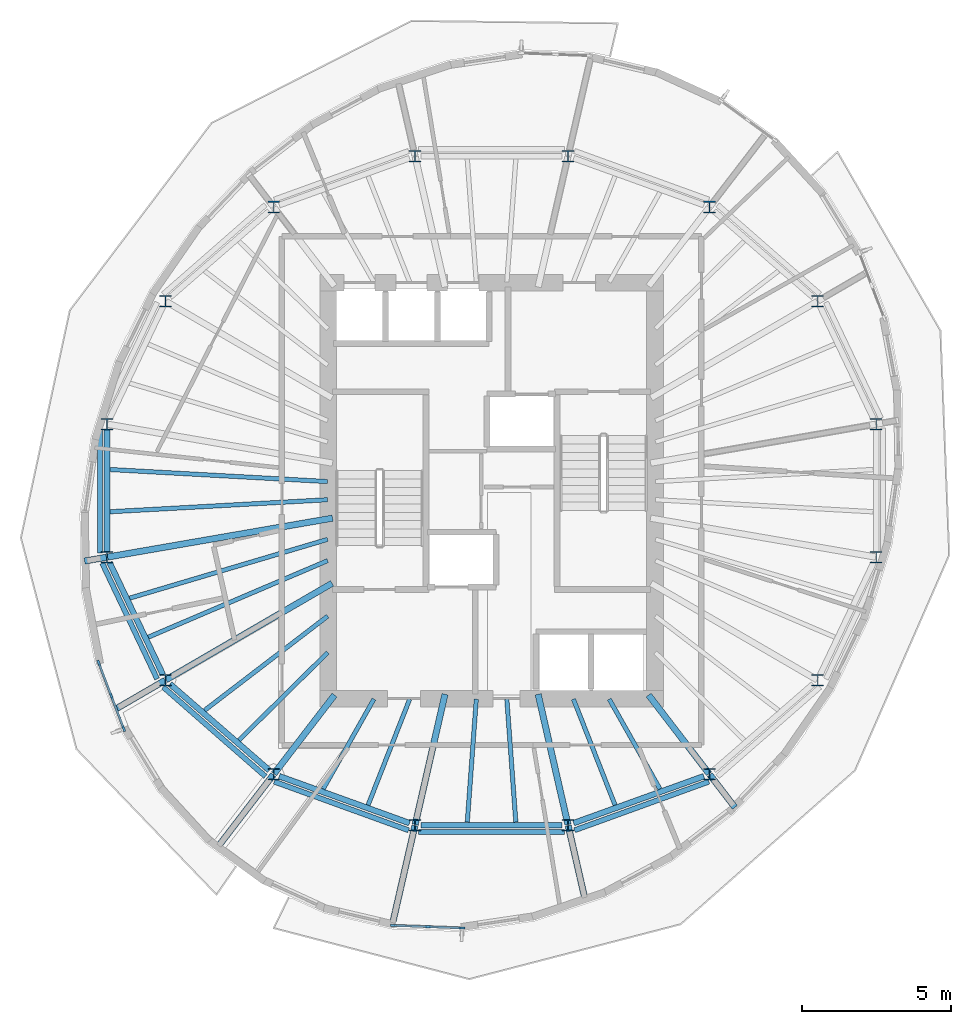
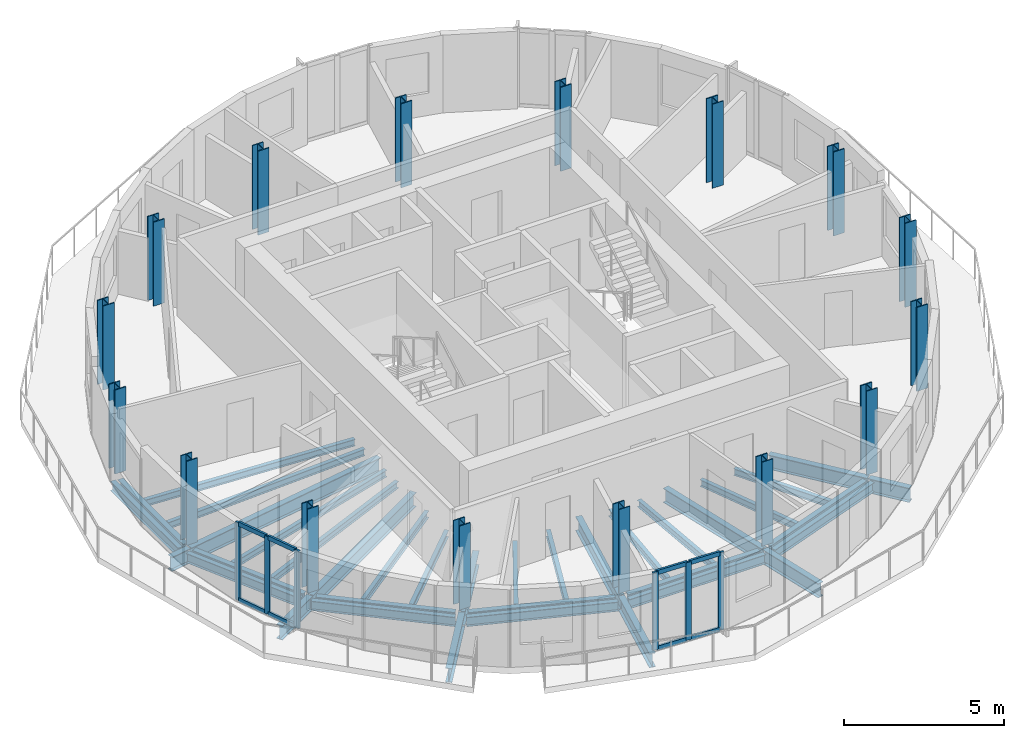
# One storey, part 1 of 11: 36 beams, 16 columns, 14 members, 2 elements without a shape of their own.
"""IFC4 building model written with IfcOpenShell, lengths in metres."""

import ifcopenshell
import ifcopenshell.guid

model = None  # the IFC model being written
_history = None  # IfcOwnerHistory: only IFC2X3 demands one
_inside = {}  # id of a spatial element -> (the spatial element, [elements in it])
_under = {}  # id of a project, library or spatial element -> (it, [spatial elements below it])
_declared = {}  # id of a project -> (the project, [libraries it declares])
_typed = {}  # id of a type object -> (the type object, [elements of that type])
_made_of = {}  # id of a material, layer set ... -> (it, [elements and type objects made of it])


def new_model(schema):
    """Start an empty IFC model of exactly this schema.

    Asked for "IFC4X3", IfcOpenShell would pick the latest addendum, in which some entities
    have other attributes; the version numbers below select the first issue.
    IFC2X3 requires an IfcOwnerHistory on every rooted entity: one is made here for all.
    """
    global model, _history
    if schema == "IFC4X3":
        model = ifcopenshell.file(schema_version=(4, 3, 0, 0))
    else:
        model = ifcopenshell.file(schema=schema)
    _inside.clear()
    _under.clear()
    _declared.clear()
    _typed.clear()
    _made_of.clear()
    _history = None
    if model.schema == "IFC2X3":
        org = make("IfcOrganization", Name="unknown")
        user = make(
            "IfcPersonAndOrganization",
            ThePerson=make("IfcPerson", FamilyName="unknown"),
            TheOrganization=org,
        )
        app = make(
            "IfcApplication",
            ApplicationDeveloper=org,
            Version="unknown",
            ApplicationFullName="unknown",
            ApplicationIdentifier="unknown",
        )
        _history = make(
            "IfcOwnerHistory",
            OwningUser=user,
            OwningApplication=app,
            ChangeAction="ADDED",
            CreationDate=0,
        )
    return model


def make(cls, **values):
    """One entity of the class cls with the attributes given. An attribute that is None is left unset."""
    return model.create_entity(
        cls, **{name: value for name, value in values.items() if value is not None}
    )


def rooted(cls, **values):
    """An entity with a GlobalId (a new one), such as an element, a storey or a relation."""
    return make(cls, GlobalId=ifcopenshell.guid.new(), OwnerHistory=_history, **values)


def si_unit(unit_type, name, prefix=None):
    """IfcSIUnit, for example si_unit("LENGTHUNIT", "METRE", prefix="MILLI")."""
    return make("IfcSIUnit", UnitType=unit_type, Prefix=prefix, Name=name)


def assignment(units):
    """IfcUnitAssignment: the units of a project."""
    return None if units is None else make("IfcUnitAssignment", Units=units)


def point(xyz):
    """IfcCartesianPoint."""
    return None if xyz is None else make("IfcCartesianPoint", Coordinates=xyz)


def direction(xyz):
    """IfcDirection."""
    return None if xyz is None else make("IfcDirection", DirectionRatios=xyz)


def frame(location, z_axis=None, x_axis=None):
    """IfcAxis2Placement3D, a coordinate frame: its origin and axes. An axis left out is left unset."""
    return make(
        "IfcAxis2Placement3D",
        Location=point(location),
        Axis=direction(z_axis),
        RefDirection=direction(x_axis),
    )


def frame_2d(location, x_axis=None):
    """IfcAxis2Placement2D, a coordinate frame in the plane: its origin and x axis."""
    return make(
        "IfcAxis2Placement2D", Location=point(location), RefDirection=direction(x_axis)
    )


def origin():
    """The frame at (0, 0, 0) with its axes left unset."""
    return frame((0.0, 0.0, 0.0))


def origin_2d():
    """The frame at (0, 0) in the plane with its x axis left unset."""
    return frame_2d((0.0, 0.0))


def place(relative_to, where):
    """IfcLocalPlacement: puts the frame where relative to a parent placement (None: the world)."""
    return make(
        "IfcLocalPlacement", PlacementRelTo=relative_to, RelativePlacement=where
    )


def context(
    kind, dimensions, precision=None, world=None, true_north=None, identifier=None
):
    """IfcGeometricRepresentationContext, for example the 3D "Model" context."""
    return make(
        "IfcGeometricRepresentationContext",
        ContextIdentifier=identifier,
        ContextType=kind,
        CoordinateSpaceDimension=dimensions,
        Precision=precision,
        WorldCoordinateSystem=world,
        TrueNorth=true_north,
    )


def subcontext(parent, identifier, kind, view, scale=None):
    """IfcGeometricRepresentationSubContext, for example "Body" below "Model"."""
    return make(
        "IfcGeometricRepresentationSubContext",
        ContextIdentifier=identifier,
        ContextType=kind,
        ParentContext=parent,
        TargetScale=scale,
        TargetView=view,
    )


def project(units=None, contexts=None):
    """IfcProject with its units and contexts."""
    return rooted(
        "IfcProject",
        Name="project",
        RepresentationContexts=contexts,
        UnitsInContext=assignment(units),
    )


def spatial(cls, under=None, at=None, **own):
    """A site, building, storey or space (cls), placed at a placement, below another one or the project."""
    s = rooted(cls, ObjectPlacement=at, **own)
    if under is not None:
        _under.setdefault(under.id(), (under, []))[1].append(s)
    return s


def profile(cls, at=None, kind="AREA", **sizes):
    """A parametric profile (cls). Its sizes go by their IFC names, for example OverallWidth=200.0."""
    return make(cls, ProfileType=kind, Position=at, **sizes)


def rectangle(**sizes):
    """IfcRectangleProfileDef."""
    return profile("IfcRectangleProfileDef", **sizes)


def i_section(**sizes):
    """IfcIShapeProfileDef."""
    return profile("IfcIShapeProfileDef", **sizes)


def extrude(swept, where, along, depth):
    """IfcExtrudedAreaSolid: the profile swept, set in the frame where, extruded along a direction by depth."""
    return make(
        "IfcExtrudedAreaSolid",
        SweptArea=swept,
        Position=where,
        ExtrudedDirection=direction(along),
        Depth=depth,
    )


def shape(context_of_items, identifier, shape_type, items):
    """IfcShapeRepresentation: the items that make up one representation, for example the "Body"."""
    return make(
        "IfcShapeRepresentation",
        ContextOfItems=context_of_items,
        RepresentationIdentifier=identifier,
        RepresentationType=shape_type,
        Items=items,
    )


def material(Name=None, Category=None):
    """IfcMaterial."""
    return make("IfcMaterial", Name=Name, Category=Category)


def material_profile(
    of_material, cross_section, Name=None, Category=None, Priority=None
):
    """IfcMaterialProfile: a cross section and its material."""
    return make(
        "IfcMaterialProfile",
        Name=Name,
        Material=of_material,
        Profile=cross_section,
        Priority=Priority,
        Category=Category,
    )


def profile_set(profiles, Name=None, composite=None):
    """IfcMaterialProfileSet."""
    return make(
        "IfcMaterialProfileSet",
        Name=Name,
        MaterialProfiles=profiles,
        CompositeProfile=composite,
    )


def made_of(thing, what):
    """Note that an element or type object is made of a material, layer set ...; save() writes the relation."""
    if what is not None:
        _made_of.setdefault(what.id(), (what, []))[1].append(thing)
    return thing


def type_object(cls, material=None, **own):
    """A type object (cls), such as IfcWallType, which elements share."""
    return made_of(rooted(cls, **own), material)


def element(
    cls,
    number,
    at=None,
    inside=None,
    cuts=None,
    type_object=None,
    material=None,
    context=None,
    identifier="Body",
    shape_type=None,
    held_by="IfcProductDefinitionShape",
    body=None,
    shapes=None,
    **own,
):
    """One element of the class cls, such as IfcWall. Its Tag is "e" and its number.

    at: its placement. inside: the storey or other place that contains it. cuts: it is an
    opening in that element (IfcRelVoidsElement). A single representation is given by context,
    identifier, shape_type and body (its items); several are given by shapes. held_by: the class
    of the entity that holds the representations. save() writes the other relations.
    """
    e = rooted(cls, Tag="e%d" % number, ObjectPlacement=at, **own)
    if body is not None:
        shapes = [shape(context, identifier, shape_type, body)]
    if shapes is not None:
        e.Representation = make(held_by, Representations=shapes)
    if inside is not None:
        _inside.setdefault(inside.id(), (inside, []))[1].append(e)
    if cuts is not None:
        rooted(
            "IfcRelVoidsElement", RelatingBuildingElement=cuts, RelatedOpeningElement=e
        )
    if type_object is not None:
        _typed.setdefault(type_object.id(), (type_object, []))[1].append(e)
    return made_of(e, material)


def aggregate(whole, parts):
    """IfcRelAggregates: a whole, such as a stair, and the parts it consists of."""
    return rooted("IfcRelAggregates", RelatingObject=whole, RelatedObjects=parts)


def save(model, path):
    """Write the relations noted so far, then the file.

    IfcRelAggregates (storeys below a building ...), IfcRelContainedInSpatialStructure (elements
    in a storey), IfcRelDefinesByType, IfcRelAssociatesMaterial and IfcRelDeclares: one each for
    every whole, place, type object, material and project.
    """
    for whole, parts in _under.values():
        aggregate(whole, parts)
    for where, things in _inside.values():
        rooted(
            "IfcRelContainedInSpatialStructure",
            RelatedElements=things,
            RelatingStructure=where,
        )
    for kind, things in _typed.values():
        rooted("IfcRelDefinesByType", RelatedObjects=things, RelatingType=kind)
    for what, things in _made_of.values():
        rooted("IfcRelAssociatesMaterial", RelatedObjects=things, RelatingMaterial=what)
    for by, libraries in _declared.values():
        rooted("IfcRelDeclares", RelatingContext=by, RelatedDefinitions=libraries)
    model.write(path)


model = new_model("IFC4")

# Units and contexts
model_context = context("Model", 3, precision=1e-05, world=origin(), true_north=direction((0.0, 1.0)))
body_context = subcontext(model_context, "Body", "Model", "MODEL_VIEW")
ifc_project = project(units=[si_unit("LENGTHUNIT", "METRE"), si_unit("AREAUNIT", "SQUARE_METRE"), si_unit("VOLUMEUNIT", "CUBIC_METRE"), si_unit("PLANEANGLEUNIT", "RADIAN"), si_unit("MASSUNIT", "GRAM", prefix="KILO")], contexts=[model_context])

# Site, building, storey
site_placement = place(None, origin())
site = spatial("IfcSite", under=ifc_project, at=site_placement, CompositionType="ELEMENT")
building_placement = place(site_placement, origin())
building = spatial("IfcBuilding", under=site, at=building_placement, Name="Veldorim Arch Residences", CompositionType="ELEMENT")
storey_placement = place(building_placement, frame((0.0, 0.0, 236.639892578125)))
storey = spatial("IfcBuildingStorey", under=building, at=storey_placement, Name="L71", CompositionType="ELEMENT", Elevation=236.639892578125)

# Columns
ifc_material_1 = material(Name="Steel S460", Category="steel")
ifc_material_profile_1 = material_profile(ifc_material_1, i_section(OverallWidth=0.39892578125, OverallDepth=0.3935546875, WebThickness=0.022705078125, FlangeThickness=0.03662109375, at=origin_2d()), Name="UC356x406x287")
ifc_profile_set_1 = profile_set([ifc_material_profile_1], Name="Steel S460")
column_type = type_object("IfcColumnType", Name="Structural Column UC356x406x287", PredefinedType="COLUMN", material=ifc_profile_set_1)
for number, where, z_axis, x_axis, name in (
    (1, (44.9462890625, 26.239501953125, 0.0), (0.0, 0.0, 1.0), (1.0, 0.0, 0.0), "L71 TC-Z4-01 perimeter column"),
    (2, (42.975341796875, 30.3779296875, 0.0), (0.0, 0.0, 1.0), (1.0, 0.0, 0.0), "L71 TC-Z4-02 perimeter column"),
    (3, (39.33349609375, 33.54541015625, 0.0), (0.0, 0.0, 1.0), (1.0, 0.0, 0.0), "L71 TC-Z4-03 perimeter column"),
    (4, (34.5751953125, 35.259521484375, 0.0), (0.0, 0.0, 1.0), (1.0, 0.0, 0.0), "L71 TC-Z4-04 perimeter column"),
    (5, (29.4248046875, 35.259521484375, 0.0), (0.0, 0.0, 1.0), (1.0, 0.0, 0.0), "L71 TC-Z4-05 perimeter column"),
    (6, (24.66650390625, 33.54541015625, 0.0), (0.0, 0.0, 1.0), (1.0, 0.0, 0.0), "L71 TC-Z4-06 perimeter column"),
    (7, (21.024658203125, 30.3779296875, 0.0), (0.0, 0.0, 1.0), (1.0, 0.0, 0.0), "L71 TC-Z4-07 perimeter column"),
    (8, (19.0537109375, 26.239501953125, 0.0), (0.0, 0.0, 1.0), (1.0, 0.0, 0.0), "L71 TC-Z4-08 perimeter column"),
    (9, (19.0537109375, 21.760498046875, 0.0), (0.0, 0.0, 1.0), (1.0, 0.0, 0.0), "L71 TC-Z4-09 perimeter column"),
    (10, (21.024658203125, 17.6220703125, 0.0), (0.0, 0.0, 1.0), (1.0, 0.0, 0.0), "L71 TC-Z4-10 perimeter column"),
    (11, (24.66650390625, 14.45458984375, 0.0), (0.0, 0.0, 1.0), (1.0, 0.0, 0.0), "L71 TC-Z4-11 perimeter column"),
    (12, (29.4248046875, 12.740478515625, 0.0), (0.0, 0.0, 1.0), (1.0, 0.0, 0.0), "L71 TC-Z4-12 perimeter column"),
    (13, (34.5751953125, 12.740478515625, 0.0), (0.0, 0.0, 1.0), (1.0, 0.0, 0.0), "L71 TC-Z4-13 perimeter column"),
    (14, (39.33349609375, 14.45458984375, 0.0), (0.0, 0.0, 1.0), (1.0, 0.0, 0.0), "L71 TC-Z4-14 perimeter column"),
    (15, (42.975341796875, 17.6220703125, 0.0), (0.0, 0.0, 1.0), (1.0, 0.0, 0.0), "L71 TC-Z4-15 perimeter column"),
    (16, (44.9462890625, 21.760498046875, 0.0), (0.0, 0.0, 1.0), (1.0, 0.0, 0.0), "L71 TC-Z4-16 perimeter column"),
):
    element("IfcColumn", number, at=place(storey_placement, frame(where, z_axis=z_axis, x_axis=x_axis)), inside=storey, type_object=column_type, Name=name, PredefinedType="COLUMN", context=body_context, shape_type="SweptSolid", body=[
        extrude(i_section(OverallWidth=0.39892578125, OverallDepth=0.3935546875, WebThickness=0.022705078125, FlangeThickness=0.03662109375, at=origin_2d()), origin(), (0.0, 0.0, 1.0), 3.2001953125),
    ])

# Beams
ifc_material_2 = material(Name="Steel S355", Category="steel")
ifc_material_profile_2 = material_profile(ifc_material_2, i_section(OverallWidth=0.2119140625, OverallDepth=0.54443359375, WebThickness=0.0126953125, FlangeThickness=0.021240234375, at=origin_2d()), Name="UB533x210x122")
ifc_profile_set_2 = profile_set([ifc_material_profile_2], Name="Steel S355")
beam_type_1 = type_object("IfcBeamType", Name="Structural Steel Beam UB533x210x122", PredefinedType="BEAM", material=ifc_profile_set_2)
beam_1_placement = place(storey_placement, frame((26.647705078125, 23.07421875, -0.51220703125), z_axis=(-0.985364974081, -0.170457818401, 0.0), x_axis=(0.170457818401, -0.985364974081, 0.0)))
element("IfcBeam", 17, at=beam_1_placement, inside=storey, type_object=beam_type_1, Name="L71 radial floor girder 09", PredefinedType="BEAM", context=body_context, shape_type="SweptSolid", body=[
    extrude(i_section(OverallWidth=0.2119140625, OverallDepth=0.54443359375, WebThickness=0.0126953125, FlangeThickness=0.021240234375, at=origin_2d()), origin(), (0.0, 0.0, 1.0), 7.68701171875),
])
beam_2_placement = place(storey_placement, frame((19.033935546875, 21.757080078125, -0.51220703125), z_axis=(-0.985346265547, -0.170565931453, 0.0), x_axis=(0.170565931453, -0.985346265547, 0.0)))
element("IfcBeam", 18, at=beam_2_placement, inside=storey, type_object=beam_type_1, Name="L71 radial edge cantilever girder 09", PredefinedType="BEAM", context=body_context, shape_type="SweptSolid", body=[
    extrude(i_section(OverallWidth=0.2119140625, OverallDepth=0.54443359375, WebThickness=0.0126953125, FlangeThickness=0.021240234375, at=origin_2d()), origin(), (0.0, 0.0, 1.0), 0.744384765625),
])
beam_3_placement = place(storey_placement, frame((26.629638671875, 20.87939453125, -0.51220703125), z_axis=(-0.864595736304, -0.502468121142, 0.0), x_axis=(0.502468121142, -0.864595736304, 0.0)))
element("IfcBeam", 19, at=beam_3_placement, inside=storey, type_object=beam_type_1, Name="L71 radial floor girder 10", PredefinedType="BEAM", context=body_context, shape_type="SweptSolid", body=[
    extrude(i_section(OverallWidth=0.2119140625, OverallDepth=0.54443359375, WebThickness=0.0126953125, FlangeThickness=0.021240234375, at=origin_2d()), origin(), (0.0, 0.0, 1.0), 6.462646484375),
])
beam_4_placement = place(storey_placement, frame((21.00732421875, 17.612060546875, -0.51220703125), z_axis=(-0.864624474783, -0.502418667653, 0.0), x_axis=(0.502418667653, -0.864624474783, 0.0)))
element("IfcBeam", 20, at=beam_4_placement, inside=storey, type_object=beam_type_1, Name="L71 radial edge cantilever girder 10", PredefinedType="BEAM", context=body_context, shape_type="SweptSolid", body=[
    extrude(i_section(OverallWidth=0.2119140625, OverallDepth=0.54443359375, WebThickness=0.0126953125, FlangeThickness=0.021240234375, at=origin_2d()), origin(), (0.0, 0.0, 1.0), 1.892578125),
])
beam_5_placement = place(storey_placement, frame((26.71337890625, 17.118896484375, -0.51220703125), z_axis=(-0.609258442308, -0.792971721108, 0.0), x_axis=(0.792971721108, -0.609258442308, 0.0)))
element("IfcBeam", 21, at=beam_5_placement, inside=storey, type_object=beam_type_1, Name="L71 radial floor girder 11", PredefinedType="BEAM", context=body_context, shape_type="SweptSolid", body=[
    extrude(i_section(OverallWidth=0.2119140625, OverallDepth=0.54443359375, WebThickness=0.0126953125, FlangeThickness=0.021240234375, at=origin_2d()), origin(), (0.0, 0.0, 1.0), 3.339599609375),
])
beam_6_placement = place(storey_placement, frame((24.654296875, 14.438720703125, -0.51220703125), z_axis=(-0.609237247817, -0.792988004873, 0.0), x_axis=(0.792988004873, -0.609237247817, 0.0)))
element("IfcBeam", 22, at=beam_6_placement, inside=storey, type_object=beam_type_1, Name="L71 radial edge cantilever girder 11", PredefinedType="BEAM", context=body_context, shape_type="SweptSolid", body=[
    extrude(i_section(OverallWidth=0.2119140625, OverallDepth=0.54443359375, WebThickness=0.0126953125, FlangeThickness=0.021240234375, at=origin_2d()), origin(), (0.0, 0.0, 1.0), 3.09033203125),
])
beam_7_placement = place(storey_placement, frame((30.432373046875, 17.146240234375, -0.51220703125), z_axis=(-0.222952976993, -0.97482920045, 0.0), x_axis=(0.97482920045, -0.222952976993, 0.0)))
element("IfcBeam", 23, at=beam_7_placement, inside=storey, type_object=beam_type_1, Name="L71 radial floor girder 12", PredefinedType="BEAM", context=body_context, shape_type="SweptSolid", body=[
    extrude(i_section(OverallWidth=0.2119140625, OverallDepth=0.54443359375, WebThickness=0.0126953125, FlangeThickness=0.021240234375, at=origin_2d()), origin(), (0.0, 0.0, 1.0), 4.49951171875),
])
beam_8_placement = place(storey_placement, frame((29.42041015625, 12.72119140625, -0.51220703125), z_axis=(-0.222994562623, -0.974819688476, 0.0), x_axis=(0.974819688476, -0.222994562623, 0.0)))
element("IfcBeam", 24, at=beam_8_placement, inside=storey, type_object=beam_type_1, Name="L71 radial edge cantilever girder 12", PredefinedType="BEAM", context=body_context, shape_type="SweptSolid", body=[
    extrude(i_section(OverallWidth=0.2119140625, OverallDepth=0.54443359375, WebThickness=0.0126953125, FlangeThickness=0.021240234375, at=origin_2d()), origin(), (0.0, 0.0, 1.0), 3.280029296875),
])
beam_9_placement = place(storey_placement, frame((33.567626953125, 17.146240234375, -0.51220703125), z_axis=(0.222952976993, -0.97482920045, 0.0), x_axis=(0.97482920045, 0.222952976993, 0.0)))
element("IfcBeam", 25, at=beam_9_placement, inside=storey, type_object=beam_type_1, Name="L71 radial floor girder 13", PredefinedType="BEAM", context=body_context, shape_type="SweptSolid", body=[
    extrude(i_section(OverallWidth=0.2119140625, OverallDepth=0.54443359375, WebThickness=0.0126953125, FlangeThickness=0.021240234375, at=origin_2d()), origin(), (0.0, 0.0, 1.0), 4.49951171875),
])
beam_10_placement = place(storey_placement, frame((34.57958984375, 12.72119140625, -0.51220703125), z_axis=(0.222987741218, -0.974821248879, 0.0), x_axis=(0.974821248879, 0.222987741218, 0.0)))
element("IfcBeam", 26, at=beam_10_placement, inside=storey, type_object=beam_type_1, Name="L71 radial edge cantilever girder 13", PredefinedType="BEAM", context=body_context, shape_type="SweptSolid", body=[
    extrude(i_section(OverallWidth=0.2119140625, OverallDepth=0.54443359375, WebThickness=0.0126953125, FlangeThickness=0.021240234375, at=origin_2d()), origin(), (0.0, 0.0, 1.0), 2.56298828125),
])
beam_11_placement = place(storey_placement, frame((37.28662109375, 17.118896484375, -0.51220703125), z_axis=(0.609258442308, -0.792971721108, 0.0), x_axis=(0.792971721108, 0.609258442308, 0.0)))
element("IfcBeam", 27, at=beam_11_placement, inside=storey, type_object=beam_type_1, Name="L71 radial floor girder 14", PredefinedType="BEAM", context=body_context, shape_type="SweptSolid", body=[
    extrude(i_section(OverallWidth=0.2119140625, OverallDepth=0.54443359375, WebThickness=0.0126953125, FlangeThickness=0.021240234375, at=origin_2d()), origin(), (0.0, 0.0, 1.0), 3.339599609375),
])
beam_12_placement = place(storey_placement, frame((39.345703125, 14.438720703125, -0.51220703125), z_axis=(0.609217680659, -0.793003037555, 0.0), x_axis=(0.793003037555, 0.609217680659, 0.0)))
element("IfcBeam", 28, at=beam_12_placement, inside=storey, type_object=beam_type_1, Name="L71 radial edge cantilever girder 14", PredefinedType="BEAM", context=body_context, shape_type="SweptSolid", body=[
    extrude(i_section(OverallWidth=0.2119140625, OverallDepth=0.54443359375, WebThickness=0.0126953125, FlangeThickness=0.021240234375, at=origin_2d()), origin(), (0.0, 0.0, 1.0), 1.38818359375),
])
ifc_material_3 = material(Name="Steel S355", Category="steel")
ifc_material_profile_3 = material_profile(ifc_material_3, i_section(OverallWidth=0.146484375, OverallDepth=0.256103515625, WebThickness=0.00634765625, FlangeThickness=0.010986328125, at=origin_2d()), Name="UB254x146x37")
ifc_profile_set_3 = profile_set([ifc_material_profile_3], Name="Steel S355")
beam_type_2 = type_object("IfcBeamType", Name="Structural Steel Joist UB254x146x37", PredefinedType="JOIST", material=ifc_profile_set_3)
for number, where, z_axis, x_axis, name in (
    (29, (26.47998046875, 24.3056640625, -0.367919921875), (-0.998472000884, 0.055259962464, 0.0), (-0.055259962464, -0.998472000884, 0.0), "L71 secondary radial floor joist 08-1"),
    (30, (26.47998046875, 23.6943359375, -0.367919921875), (-0.998472000884, -0.055259962464, 0.0), (0.055259962464, -0.998472000884, 0.0), "L71 secondary radial floor joist 08-2"),
):
    element("IfcBeam", number, at=place(storey_placement, frame(where, z_axis=z_axis, x_axis=x_axis)), inside=storey, type_object=beam_type_2, Name=name, PredefinedType="JOIST", context=body_context, shape_type="SweptSolid", body=[
        extrude(i_section(OverallWidth=0.146484375, OverallDepth=0.256103515625, WebThickness=0.00634765625, FlangeThickness=0.010986328125, at=origin_2d()), origin(), (0.0, 0.0, 1.0), 7.33837890625),
    ])
beam_13_placement = place(storey_placement, frame((26.480712890625, 22.360595703125, -0.367919921875), z_axis=(-0.958594432792, -0.284774846889, 0.0), x_axis=(0.284774846889, -0.958594432792, 0.0)))
element("IfcBeam", 31, at=beam_13_placement, inside=storey, type_object=beam_type_2, Name="L71 secondary radial floor joist 09-1", PredefinedType="JOIST", context=body_context, shape_type="SweptSolid", body=[
    extrude(i_section(OverallWidth=0.146484375, OverallDepth=0.256103515625, WebThickness=0.00634765625, FlangeThickness=0.010986328125, at=origin_2d()), origin(), (0.0, 0.0, 1.0), 6.949462890625),
])
beam_14_placement = place(storey_placement, frame((26.481689453125, 21.644287109375, -0.367919921875), z_axis=(-0.919725161652, -0.392562895629, 0.0), x_axis=(0.392562895629, -0.919725161652, 0.0)))
element("IfcBeam", 32, at=beam_14_placement, inside=storey, type_object=beam_type_2, Name="L71 secondary radial floor joist 09-2", PredefinedType="JOIST", context=body_context, shape_type="SweptSolid", body=[
    extrude(i_section(OverallWidth=0.146484375, OverallDepth=0.256103515625, WebThickness=0.00634765625, FlangeThickness=0.010986328125, at=origin_2d()), origin(), (0.0, 0.0, 1.0), 6.5625),
])
beam_15_placement = place(storey_placement, frame((26.484130859375, 19.777099609375, -0.367919921875), z_axis=(-0.794013672216, -0.607899899929, 0.0), x_axis=(0.607899899929, -0.794013672216, 0.0)))
element("IfcBeam", 33, at=beam_15_placement, inside=storey, type_object=beam_type_2, Name="L71 secondary radial floor joist 10-1", PredefinedType="JOIST", context=body_context, shape_type="SweptSolid", body=[
    extrude(i_section(OverallWidth=0.146484375, OverallDepth=0.256103515625, WebThickness=0.00634765625, FlangeThickness=0.010986328125, at=origin_2d()), origin(), (0.0, 0.0, 1.0), 5.217041015625),
])
beam_16_placement = place(storey_placement, frame((26.48583984375, 18.55224609375, -0.367919921875), z_axis=(-0.711396725432, -0.702790650937, 0.0), x_axis=(0.702790650937, -0.711396725432, 0.0)))
element("IfcBeam", 34, at=beam_16_placement, inside=storey, type_object=beam_type_2, Name="L71 secondary radial floor joist 10-2", PredefinedType="JOIST", context=body_context, shape_type="SweptSolid", body=[
    extrude(i_section(OverallWidth=0.146484375, OverallDepth=0.256103515625, WebThickness=0.00634765625, FlangeThickness=0.010986328125, at=origin_2d()), origin(), (0.0, 0.0, 1.0), 4.198486328125),
])
beam_17_placement = place(storey_placement, frame((28.039794921875, 16.982666015625, -0.367919921875), z_axis=(-0.491452469585, -0.870904397818, 0.0), x_axis=(0.870904397818, -0.491452469585, 0.0)))
element("IfcBeam", 35, at=beam_17_placement, inside=storey, type_object=beam_type_2, Name="L71 secondary radial floor joist 11-1", PredefinedType="JOIST", context=body_context, shape_type="SweptSolid", body=[
    extrude(i_section(OverallWidth=0.146484375, OverallDepth=0.256103515625, WebThickness=0.00634765625, FlangeThickness=0.010986328125, at=origin_2d()), origin(), (0.0, 0.0, 1.0), 3.472412109375),
])
beam_18_placement = place(storey_placement, frame((29.24365234375, 16.9814453125, -0.367919921875), z_axis=(-0.365581383042, -0.930779379001, 0.0), x_axis=(0.930779379001, -0.365581383042, 0.0)))
element("IfcBeam", 36, at=beam_18_placement, inside=storey, type_object=beam_type_2, Name="L71 secondary radial floor joist 11-2", PredefinedType="JOIST", context=body_context, shape_type="SweptSolid", body=[
    extrude(i_section(OverallWidth=0.146484375, OverallDepth=0.256103515625, WebThickness=0.00634765625, FlangeThickness=0.010986328125, at=origin_2d()), origin(), (0.0, 0.0, 1.0), 3.83056640625),
])
for number, where, z_axis, x_axis, name in (
    (37, (31.486083984375, 16.97998046875, -0.367919921875), (-0.072985625899, -0.997332992742, 0.0), (0.997332992742, -0.072985625899, 0.0), "L71 secondary radial floor joist 12-1"),
    (38, (32.513916015625, 16.97998046875, -0.367919921875), (0.072985625899, -0.997332992742, 0.0), (0.997332992742, 0.072985625899, 0.0), "L71 secondary radial floor joist 12-2"),
):
    element("IfcBeam", number, at=place(storey_placement, frame(where, z_axis=z_axis, x_axis=x_axis)), inside=storey, type_object=beam_type_2, Name=name, PredefinedType="JOIST", context=body_context, shape_type="SweptSolid", body=[
        extrude(i_section(OverallWidth=0.146484375, OverallDepth=0.256103515625, WebThickness=0.00634765625, FlangeThickness=0.010986328125, at=origin_2d()), origin(), (0.0, 0.0, 1.0), 4.151123046875),
    ])
beam_19_placement = place(storey_placement, frame((34.75634765625, 16.9814453125, -0.367919921875), z_axis=(0.365581383042, -0.930779379001, 0.0), x_axis=(0.930779379001, 0.365581383042, 0.0)))
element("IfcBeam", 39, at=beam_19_placement, inside=storey, type_object=beam_type_2, Name="L71 secondary radial floor joist 13-1", PredefinedType="JOIST", context=body_context, shape_type="SweptSolid", body=[
    extrude(i_section(OverallWidth=0.146484375, OverallDepth=0.256103515625, WebThickness=0.00634765625, FlangeThickness=0.010986328125, at=origin_2d()), origin(), (0.0, 0.0, 1.0), 3.83056640625),
])
beam_20_placement = place(storey_placement, frame((35.960205078125, 16.982666015625, -0.367919921875), z_axis=(0.491452469585, -0.870904397818, 0.0), x_axis=(0.870904397818, 0.491452469585, 0.0)))
element("IfcBeam", 40, at=beam_20_placement, inside=storey, type_object=beam_type_2, Name="L71 secondary radial floor joist 13-2", PredefinedType="JOIST", context=body_context, shape_type="SweptSolid", body=[
    extrude(i_section(OverallWidth=0.146484375, OverallDepth=0.256103515625, WebThickness=0.00634765625, FlangeThickness=0.010986328125, at=origin_2d()), origin(), (0.0, 0.0, 1.0), 3.472412109375),
])
ifc_material_4 = material(Name="Steel S355", Category="steel")
ifc_material_profile_4 = material_profile(ifc_material_4, i_section(OverallWidth=0.172119140625, OverallDepth=0.35791015625, WebThickness=0.008056640625, FlangeThickness=0.012939453125, at=origin_2d()), Name="UB356x171x57")
ifc_profile_set_4 = profile_set([ifc_material_profile_4], Name="Steel S355")
beam_type_3 = type_object("IfcBeamType", Name="Structural Steel Spandrel UB356x171x57", PredefinedType="SPANDREL", material=ifc_profile_set_4)
beam_21_placement = place(storey_placement, frame((18.817138671875, 26.10498046875, -0.43896484375), z_axis=(0.0, -1.0, 0.0), x_axis=(1.0, 0.0, 0.0)))
element("IfcBeam", 41, at=beam_21_placement, inside=storey, type_object=beam_type_3, Name="L71 perimeter chord spandrel beam 08", PredefinedType="SPANDREL", context=body_context, shape_type="SweptSolid", body=[
    extrude(i_section(OverallWidth=0.172119140625, OverallDepth=0.35791015625, WebThickness=0.008056640625, FlangeThickness=0.012939453125, at=origin_2d()), origin(), (0.0, 0.0, 1.0), 4.2099609375),
])
beam_22_placement = place(storey_placement, frame((18.892333984375, 21.560791015625, -0.43896484375), z_axis=(0.428453398876, -0.903563879862, 0.0), x_axis=(0.903563879862, 0.428453398876, 0.0)))
element("IfcBeam", 42, at=beam_22_placement, inside=storey, type_object=beam_type_3, Name="L71 perimeter chord spandrel beam 09", PredefinedType="SPANDREL", context=body_context, shape_type="SweptSolid", body=[
    extrude(i_section(OverallWidth=0.172119140625, OverallDepth=0.35791015625, WebThickness=0.008056640625, FlangeThickness=0.012939453125, at=origin_2d()), origin(), (0.0, 0.0, 1.0), 4.31689453125),
])
beam_23_placement = place(storey_placement, frame((20.94921875, 17.385986328125, -0.43896484375), z_axis=(0.752901089301, -0.658133686821, 0.0), x_axis=(0.658133686821, 0.752901089301, 0.0)))
element("IfcBeam", 43, at=beam_23_placement, inside=storey, type_object=beam_type_3, Name="L71 perimeter chord spandrel beam 10", PredefinedType="SPANDREL", context=body_context, shape_type="SweptSolid", body=[
    extrude(i_section(OverallWidth=0.172119140625, OverallDepth=0.35791015625, WebThickness=0.008056640625, FlangeThickness=0.012939453125, at=origin_2d()), origin(), (0.0, 0.0, 1.0), 4.567626953125),
])
beam_24_placement = place(storey_placement, frame((24.685302734375, 14.20458984375, -0.43896484375), z_axis=(0.940181197783, -0.340674794099, 0.0), x_axis=(0.340674794099, 0.940181197783, 0.0)))
element("IfcBeam", 44, at=beam_24_placement, inside=storey, type_object=beam_type_3, Name="L71 perimeter chord spandrel beam 11", PredefinedType="SPANDREL", context=body_context, shape_type="SweptSolid", body=[
    extrude(i_section(OverallWidth=0.172119140625, OverallDepth=0.35791015625, WebThickness=0.008056640625, FlangeThickness=0.012939453125, at=origin_2d()), origin(), (0.0, 0.0, 1.0), 4.80859375),
])
beam_25_placement = place(storey_placement, frame((29.546875, 12.506591796875, -0.43896484375), z_axis=(1.0, 0.0, 0.0), x_axis=(0.0, 1.0, 0.0)))
element("IfcBeam", 45, at=beam_25_placement, inside=storey, type_object=beam_type_3, Name="L71 perimeter chord spandrel beam 12", PredefinedType="SPANDREL", context=body_context, shape_type="SweptSolid", body=[
    extrude(i_section(OverallWidth=0.172119140625, OverallDepth=0.35791015625, WebThickness=0.008056640625, FlangeThickness=0.012939453125, at=origin_2d()), origin(), (0.0, 0.0, 1.0), 4.90625),
])
beam_26_placement = place(storey_placement, frame((34.793701171875, 12.56640625, -0.43896484375), z_axis=(0.940181197783, 0.340674794099, 0.0), x_axis=(-0.340674794099, 0.940181197783, 0.0)))
element("IfcBeam", 46, at=beam_26_placement, inside=storey, type_object=beam_type_3, Name="L71 perimeter chord spandrel beam 13", PredefinedType="SPANDREL", context=body_context, shape_type="SweptSolid", body=[
    extrude(i_section(OverallWidth=0.172119140625, OverallDepth=0.35791015625, WebThickness=0.008056640625, FlangeThickness=0.012939453125, at=origin_2d()), origin(), (0.0, 0.0, 1.0), 4.80859375),
])
ifc_material_5 = material(Name="Steel S355", Category="steel")
ifc_material_profile_5 = material_profile(ifc_material_5, i_section(OverallWidth=0.19140625, OverallDepth=0.4599609375, WebThickness=0.010009765625, FlangeThickness=0.01611328125, at=origin_2d()), Name="UB457x191x82")
ifc_profile_set_5 = profile_set([ifc_material_profile_5], Name="Steel S355")
beam_type_4 = type_object("IfcBeamType", Name="Structural Steel Spandrel UB457x191x82", PredefinedType="SPANDREL", material=ifc_profile_set_5)
beam_27_placement = place(storey_placement, frame((19.0537109375, 26.0400390625, -0.469970703125), z_axis=(0.0, -1.0, 0.0), x_axis=(1.0, 0.0, 0.0)))
element("IfcBeam", 47, at=beam_27_placement, inside=storey, type_object=beam_type_4, Name="L71 perimeter ring tie beam 08", PredefinedType="SPANDREL", context=body_context, shape_type="SweptSolid", body=[
    extrude(i_section(OverallWidth=0.19140625, OverallDepth=0.4599609375, WebThickness=0.010009765625, FlangeThickness=0.01611328125, at=origin_2d()), origin(), (0.0, 0.0, 1.0), 4.080078125),
])
beam_28_placement = place(storey_placement, frame((19.139404296875, 21.580322265625, -0.469970703125), z_axis=(0.42997887291, -0.902838949564, 0.0), x_axis=(0.902838949564, 0.42997887291, 0.0)))
element("IfcBeam", 48, at=beam_28_placement, inside=storey, type_object=beam_type_4, Name="L71 perimeter ring tie beam 09", PredefinedType="SPANDREL", context=body_context, shape_type="SweptSolid", body=[
    extrude(i_section(OverallWidth=0.19140625, OverallDepth=0.4599609375, WebThickness=0.010009765625, FlangeThickness=0.01611328125, at=origin_2d()), origin(), (0.0, 0.0, 1.0), 4.1845703125),
])
beam_29_placement = place(storey_placement, frame((21.175048828125, 17.4912109375, -0.469970703125), z_axis=(0.754578219063, -0.656210112171, 0.0), x_axis=(0.656210112171, 0.754578219063, 0.0)))
element("IfcBeam", 49, at=beam_29_placement, inside=storey, type_object=beam_type_4, Name="L71 perimeter ring tie beam 10", PredefinedType="SPANDREL", context=body_context, shape_type="SweptSolid", body=[
    extrude(i_section(OverallWidth=0.19140625, OverallDepth=0.4599609375, WebThickness=0.010009765625, FlangeThickness=0.01611328125, at=origin_2d()), origin(), (0.0, 0.0, 1.0), 4.427734375),
])
beam_30_placement = place(storey_placement, frame((24.854248046875, 14.38720703125, -0.469970703125), z_axis=(0.940799194754, -0.338964415757, 0.0), x_axis=(0.338964415757, 0.940799194754, 0.0)))
element("IfcBeam", 50, at=beam_30_placement, inside=storey, type_object=beam_type_4, Name="L71 perimeter ring tie beam 11", PredefinedType="SPANDREL", context=body_context, shape_type="SweptSolid", body=[
    extrude(i_section(OverallWidth=0.19140625, OverallDepth=0.4599609375, WebThickness=0.010009765625, FlangeThickness=0.01611328125, at=origin_2d()), origin(), (0.0, 0.0, 1.0), 4.65869140625),
])
beam_31_placement = place(storey_placement, frame((29.624267578125, 12.740478515625, -0.469970703125), z_axis=(1.0, 0.0, 0.0), x_axis=(0.0, 1.0, 0.0)))
element("IfcBeam", 51, at=beam_31_placement, inside=storey, type_object=beam_type_4, Name="L71 perimeter ring tie beam 12", PredefinedType="SPANDREL", context=body_context, shape_type="SweptSolid", body=[
    extrude(i_section(OverallWidth=0.19140625, OverallDepth=0.4599609375, WebThickness=0.010009765625, FlangeThickness=0.01611328125, at=origin_2d()), origin(), (0.0, 0.0, 1.0), 4.75146484375),
])
beam_32_placement = place(storey_placement, frame((34.762939453125, 12.80810546875, -0.469970703125), z_axis=(0.940799194754, 0.338964415757, 0.0), x_axis=(-0.338964415757, 0.940799194754, 0.0)))
element("IfcBeam", 52, at=beam_32_placement, inside=storey, type_object=beam_type_4, Name="L71 perimeter ring tie beam 13", PredefinedType="SPANDREL", context=body_context, shape_type="SweptSolid", body=[
    extrude(i_section(OverallWidth=0.19140625, OverallDepth=0.4599609375, WebThickness=0.010009765625, FlangeThickness=0.01611328125, at=origin_2d()), origin(), (0.0, 0.0, 1.0), 4.65869140625),
])

# Curtain wall, members
ifc_material_6 = material(Name="Aluminium", Category="aluminium")
curtain_wall_type = type_object("IfcCurtainWallType", Name="Zone 4 High-Altitude Unitised Curtain Wall", PredefinedType="NOTDEFINED", material=ifc_material_6)
curtain_wall_1_placement = place(storey_placement, origin())
curtain_wall_1 = element("IfcCurtainWall", 53, at=curtain_wall_1_placement, inside=storey, type_object=curtain_wall_type, Name="L71 unitised curtain wall bay 15", PredefinedType="NOTDEFINED")
ifc_material_7 = material(Name="Aluminium", Category="aluminium")
ifc_material_profile_6 = material_profile(ifc_material_7, rectangle(XDim=0.074951171875, YDim=0.195068359375, at=origin_2d()), Name="ALU_MUL_75x195")
ifc_profile_set_6 = profile_set([ifc_material_profile_6], Name="Aluminium")
member_type_1 = type_object("IfcMemberType", Name="Zone 4 High-Altitude Unitised Curtain Wall Mullion 75x195", PredefinedType="MULLION", material=ifc_profile_set_6)
member_1_placement = place(storey_placement, frame((19.618408203125, 15.985107421875, 0.0), z_axis=(0.0, 0.0, 1.0), x_axis=(-0.934865414393, -0.355002333755, 0.0)))
member_1 = element("IfcMember", 54, at=member_1_placement, type_object=member_type_1, Name="CW-Z4 mullion 1", PredefinedType="MULLION", context=body_context, shape_type="SweptSolid", body=[
    extrude(rectangle(XDim=0.074951171875, YDim=0.195068359375, at=origin_2d()), origin(), (0.0, 0.0, 1.0), 2.960205078125),
])
member_2_placement = place(storey_placement, frame((19.1982421875, 17.091552734375, 0.0), z_axis=(0.0, 0.0, 1.0), x_axis=(-0.934865414393, -0.355002333755, 0.0)))
member_2 = element("IfcMember", 55, at=member_2_placement, type_object=member_type_1, Name="CW-Z4 mullion 2", PredefinedType="MULLION", context=body_context, shape_type="SweptSolid", body=[
    extrude(rectangle(XDim=0.074951171875, YDim=0.195068359375, at=origin_2d()), origin(), (0.0, 0.0, 1.0), 2.960205078125),
])
member_3_placement = place(storey_placement, frame((18.778076171875, 18.197998046875, 0.0), z_axis=(0.0, 0.0, 1.0), x_axis=(-0.934865414393, -0.355002333755, 0.0)))
member_3 = element("IfcMember", 56, at=member_3_placement, type_object=member_type_1, Name="CW-Z4 mullion 3", PredefinedType="MULLION", context=body_context, shape_type="SweptSolid", body=[
    extrude(rectangle(XDim=0.074951171875, YDim=0.195068359375, at=origin_2d()), origin(), (0.0, 0.0, 1.0), 2.960205078125),
])

curtain_wall_2_placement = place(storey_placement, origin())
curtain_wall_2 = element("IfcCurtainWall", 57, at=curtain_wall_2_placement, inside=storey, type_object=curtain_wall_type, Name="L71 unitised curtain wall bay 21", PredefinedType="NOTDEFINED")
member_4_placement = place(storey_placement, frame((31.0068359375, 9.277099609375, 0.0), z_axis=(0.0, 0.0, 1.0), x_axis=(-0.037606436173, -0.999292627791, 0.0)))
member_4 = element("IfcMember", 58, at=member_4_placement, type_object=member_type_1, Name="CW-Z4 mullion 1", PredefinedType="MULLION", context=body_context, shape_type="SweptSolid", body=[
    extrude(rectangle(XDim=0.074951171875, YDim=0.195068359375, at=origin_2d()), origin(), (0.0, 0.0, 1.0), 2.960205078125),
])
member_5_placement = place(storey_placement, frame((29.851318359375, 9.320556640625, 0.0), z_axis=(0.0, 0.0, 1.0), x_axis=(-0.037606436173, -0.999292627791, 0.0)))
member_5 = element("IfcMember", 59, at=member_5_placement, type_object=member_type_1, Name="CW-Z4 mullion 2", PredefinedType="MULLION", context=body_context, shape_type="SweptSolid", body=[
    extrude(rectangle(XDim=0.074951171875, YDim=0.195068359375, at=origin_2d()), origin(), (0.0, 0.0, 1.0), 2.960205078125),
])
member_6_placement = place(storey_placement, frame((28.695556640625, 9.364013671875, 0.0), z_axis=(0.0, 0.0, 1.0), x_axis=(-0.037606436173, -0.999292627791, 0.0)))
member_6 = element("IfcMember", 60, at=member_6_placement, type_object=member_type_1, Name="CW-Z4 mullion 3", PredefinedType="MULLION", context=body_context, shape_type="SweptSolid", body=[
    extrude(rectangle(XDim=0.074951171875, YDim=0.195068359375, at=origin_2d()), origin(), (0.0, 0.0, 1.0), 2.960205078125),
])

# Member
ifc_material_8 = material(Name="Aluminium", Category="aluminium")
ifc_material_profile_7 = material_profile(ifc_material_8, rectangle(XDim=0.074951171875, YDim=0.1650390625, at=origin_2d()), Name="ALU_TRN_75x165")
ifc_profile_set_7 = profile_set([ifc_material_profile_7], Name="Aluminium")
member_type_2 = type_object("IfcMemberType", Name="Zone 4 High-Altitude Unitised Curtain Wall Transom 75x165", PredefinedType="USERDEFINED", material=ifc_profile_set_7)
member_7_placement = place(storey_placement, frame((19.60498046875, 16.020263671875, 0.03759765625), z_axis=(-0.355079172172, 0.934836232444, 0.0), x_axis=(-0.934836232444, -0.355079172172, 0.0)))
member_7 = element("IfcMember", 61, at=member_7_placement, type_object=member_type_2, Name="CW-Z4 transom 1.1", ObjectType="TRANSOM", PredefinedType="USERDEFINED", context=body_context, shape_type="SweptSolid", body=[
    extrude(rectangle(XDim=0.074951171875, YDim=0.1650390625, at=origin_2d()), origin(), (0.0, 0.0, 1.0), 1.1083984375),
])

member_8_placement = place(storey_placement, frame((19.60498046875, 16.020263671875, 2.922607421875), z_axis=(-0.355079172172, 0.934836232444, 0.0), x_axis=(-0.934836232444, -0.355079172172, 0.0)))
member_8 = element("IfcMember", 62, at=member_8_placement, type_object=member_type_2, Name="CW-Z4 transom 1.2", ObjectType="TRANSOM", PredefinedType="USERDEFINED", context=body_context, shape_type="SweptSolid", body=[
    extrude(rectangle(XDim=0.074951171875, YDim=0.1650390625, at=origin_2d()), origin(), (0.0, 0.0, 1.0), 1.1083984375),
])

member_9_placement = place(storey_placement, frame((19.184814453125, 17.126708984375, 0.03759765625), z_axis=(-0.355079172172, 0.934836232444, 0.0), x_axis=(-0.934836232444, -0.355079172172, 0.0)))
member_9 = element("IfcMember", 63, at=member_9_placement, type_object=member_type_2, Name="CW-Z4 transom 2.1", ObjectType="TRANSOM", PredefinedType="USERDEFINED", context=body_context, shape_type="SweptSolid", body=[
    extrude(rectangle(XDim=0.074951171875, YDim=0.1650390625, at=origin_2d()), origin(), (0.0, 0.0, 1.0), 1.1083984375),
])

member_10_placement = place(storey_placement, frame((19.184814453125, 17.126708984375, 2.922607421875), z_axis=(-0.355079172172, 0.934836232444, 0.0), x_axis=(-0.934836232444, -0.355079172172, 0.0)))
member_10 = element("IfcMember", 64, at=member_10_placement, type_object=member_type_2, Name="CW-Z4 transom 2.2", ObjectType="TRANSOM", PredefinedType="USERDEFINED", context=body_context, shape_type="SweptSolid", body=[
    extrude(rectangle(XDim=0.074951171875, YDim=0.1650390625, at=origin_2d()), origin(), (0.0, 0.0, 1.0), 1.1083984375),
])

aggregate(curtain_wall_1, [member_1, member_2, member_3, member_7, member_8, member_9, member_10])

member_11_placement = place(storey_placement, frame((30.96923828125, 9.2783203125, 0.03759765625), z_axis=(-0.999288922872, 0.037704756014, 0.0), x_axis=(-0.037704756014, -0.999288922872, 0.0)))
member_11 = element("IfcMember", 65, at=member_11_placement, type_object=member_type_2, Name="CW-Z4 transom 1.1", ObjectType="TRANSOM", PredefinedType="USERDEFINED", context=body_context, shape_type="SweptSolid", body=[
    extrude(rectangle(XDim=0.074951171875, YDim=0.1650390625, at=origin_2d()), origin(), (0.0, 0.0, 1.0), 1.081298828125),
])

member_12_placement = place(storey_placement, frame((30.96923828125, 9.2783203125, 2.922607421875), z_axis=(-0.999288922872, 0.037704756014, 0.0), x_axis=(-0.037704756014, -0.999288922872, 0.0)))
member_12 = element("IfcMember", 66, at=member_12_placement, type_object=member_type_2, Name="CW-Z4 transom 1.2", ObjectType="TRANSOM", PredefinedType="USERDEFINED", context=body_context, shape_type="SweptSolid", body=[
    extrude(rectangle(XDim=0.074951171875, YDim=0.1650390625, at=origin_2d()), origin(), (0.0, 0.0, 1.0), 1.081298828125),
])

member_13_placement = place(storey_placement, frame((29.813720703125, 9.322021484375, 0.03759765625), z_axis=(-0.999297404323, 0.037479297135, 0.0), x_axis=(-0.037479297135, -0.999297404323, 0.0)))
member_13 = element("IfcMember", 67, at=member_13_placement, type_object=member_type_2, Name="CW-Z4 transom 2.1", ObjectType="TRANSOM", PredefinedType="USERDEFINED", context=body_context, shape_type="SweptSolid", body=[
    extrude(rectangle(XDim=0.074951171875, YDim=0.1650390625, at=origin_2d()), origin(), (0.0, 0.0, 1.0), 1.081298828125),
])

member_14_placement = place(storey_placement, frame((29.813720703125, 9.322021484375, 2.922607421875), z_axis=(-0.999297404323, 0.037479297135, 0.0), x_axis=(-0.037479297135, -0.999297404323, 0.0)))
member_14 = element("IfcMember", 68, at=member_14_placement, type_object=member_type_2, Name="CW-Z4 transom 2.2", ObjectType="TRANSOM", PredefinedType="USERDEFINED", context=body_context, shape_type="SweptSolid", body=[
    extrude(rectangle(XDim=0.074951171875, YDim=0.1650390625, at=origin_2d()), origin(), (0.0, 0.0, 1.0), 1.081298828125),
])

aggregate(curtain_wall_2, [member_4, member_5, member_6, member_11, member_12, member_13, member_14])

save(model, "model.ifc")
